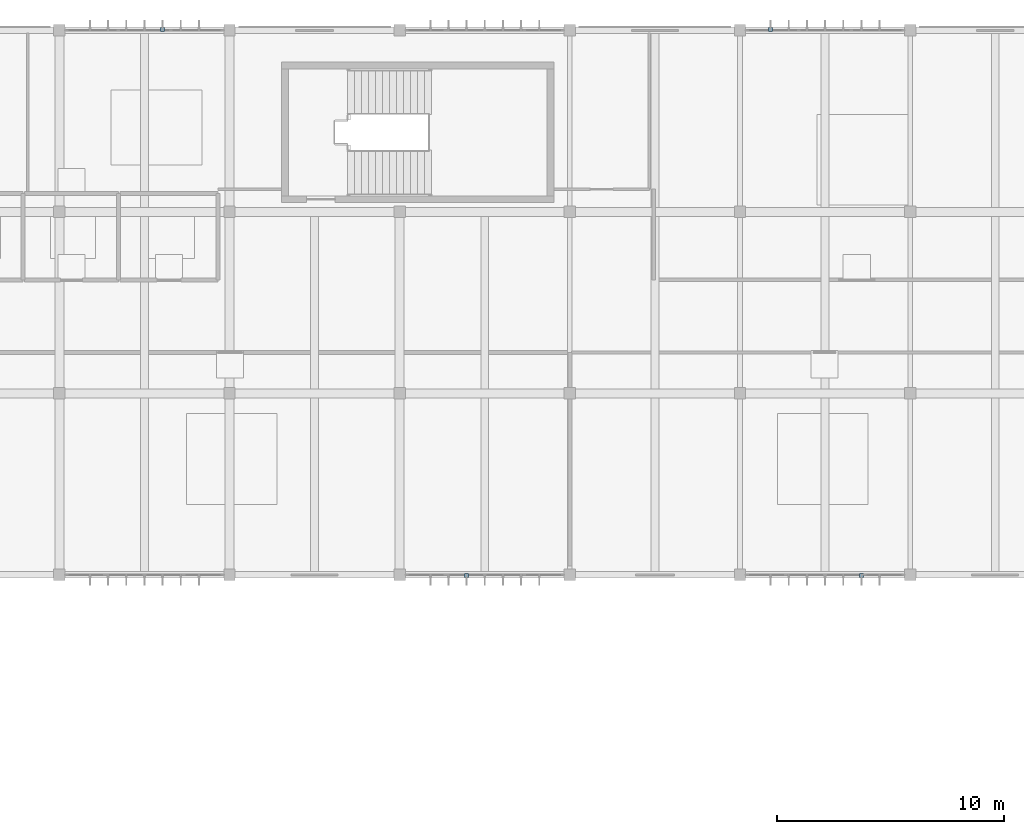
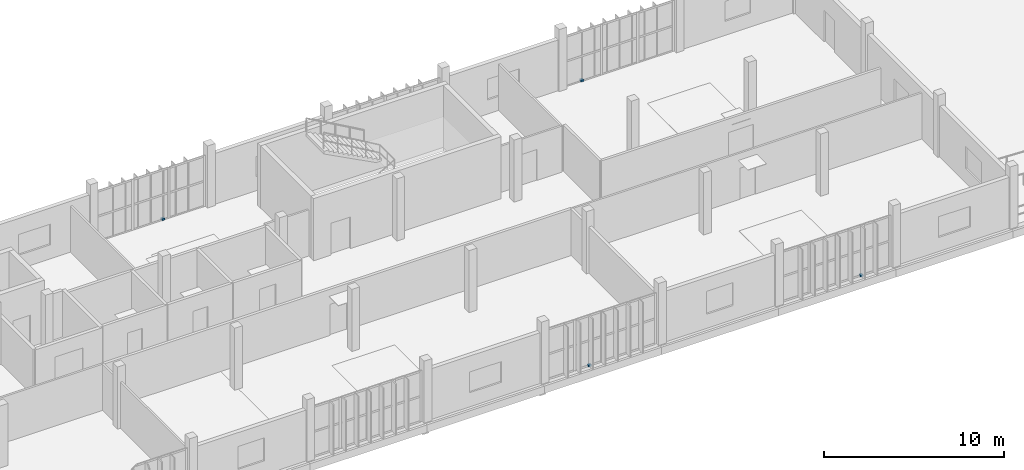
# One storey, part 23 of 27: 4 discrete accessories.
"""IFC4 building model written with IfcOpenShell, lengths in metres."""

from ifc_helpers import new_model, si_unit, direction, frame, origin, origin_2d, place, context, subcontext, project, spatial, rectangle, extrude, material, type_object, element, save


model = new_model("IFC4")

# Units and contexts
model_context = context("Model", 3, precision=1e-05, world=origin(), true_north=direction((0.0, 1.0)))
body_context = subcontext(model_context, "Body", "Model", "MODEL_VIEW")
ifc_project = project(units=[si_unit("LENGTHUNIT", "METRE"), si_unit("AREAUNIT", "SQUARE_METRE"), si_unit("VOLUMEUNIT", "CUBIC_METRE"), si_unit("PLANEANGLEUNIT", "RADIAN"), si_unit("MASSUNIT", "GRAM", prefix="KILO")], contexts=[model_context])

# Site, building, storey
site_placement = place(None, origin())
site = spatial("IfcSite", under=ifc_project, at=site_placement, CompositionType="ELEMENT")
building_placement = place(site_placement, origin())
building = spatial("IfcBuilding", under=site, at=building_placement, Name="Vourika Railside Aquatics Centre", CompositionType="ELEMENT")
storey_placement = place(building_placement, frame((0.0, 0.0, 13.5)))
storey = spatial("IfcBuildingStorey", under=building, at=storey_placement, Name="L03", CompositionType="ELEMENT", Elevation=13.5)

# Discrete accessories
ifc_material = material(Name="Duplex stainless steel EN 1.4462", Category="steel")
discrete_accessory_type = type_object("IfcDiscreteAccessoryType", Name="ACC-BRK-180", PredefinedType="BRACKET", material=ifc_material)
for number, where, z_axis, x_axis, name in (
    (1, (70.550048828125, 116.030029296875, 0.0), (0.0, 0.0, 1.0), (0.0, 1.0, 0.0), "Stainless Fin Shoe Bracket BK-104"),
    (2, (97.35009765625, 116.030029296875, 0.0), (0.0, 0.0, 1.0), (0.0, 1.0, 0.0), "Stainless Fin Shoe Bracket BK-105"),
    (3, (83.949951171875, 91.969970703125, 0.0), (0.0, 0.0, 1.0), (0.0, -1.0, 0.0), "Stainless Fin Shoe Bracket BK-108"),
    (4, (101.35009765625, 91.969970703125, 0.0), (0.0, 0.0, 1.0), (0.0, -1.0, 0.0), "Stainless Fin Shoe Bracket BK-109"),
):
    element("IfcDiscreteAccessory", number, at=place(storey_placement, frame(where, z_axis=z_axis, x_axis=x_axis)), inside=storey, type_object=discrete_accessory_type, Name=name, PredefinedType="BRACKET", context=body_context, shape_type="SweptSolid", body=[
        extrude(rectangle(XDim=0.179931640625, YDim=0.179931640625, at=origin_2d()), origin(), (0.0, 0.0, 1.0), 0.1201171875),
    ])

save(model, "model.ifc")
